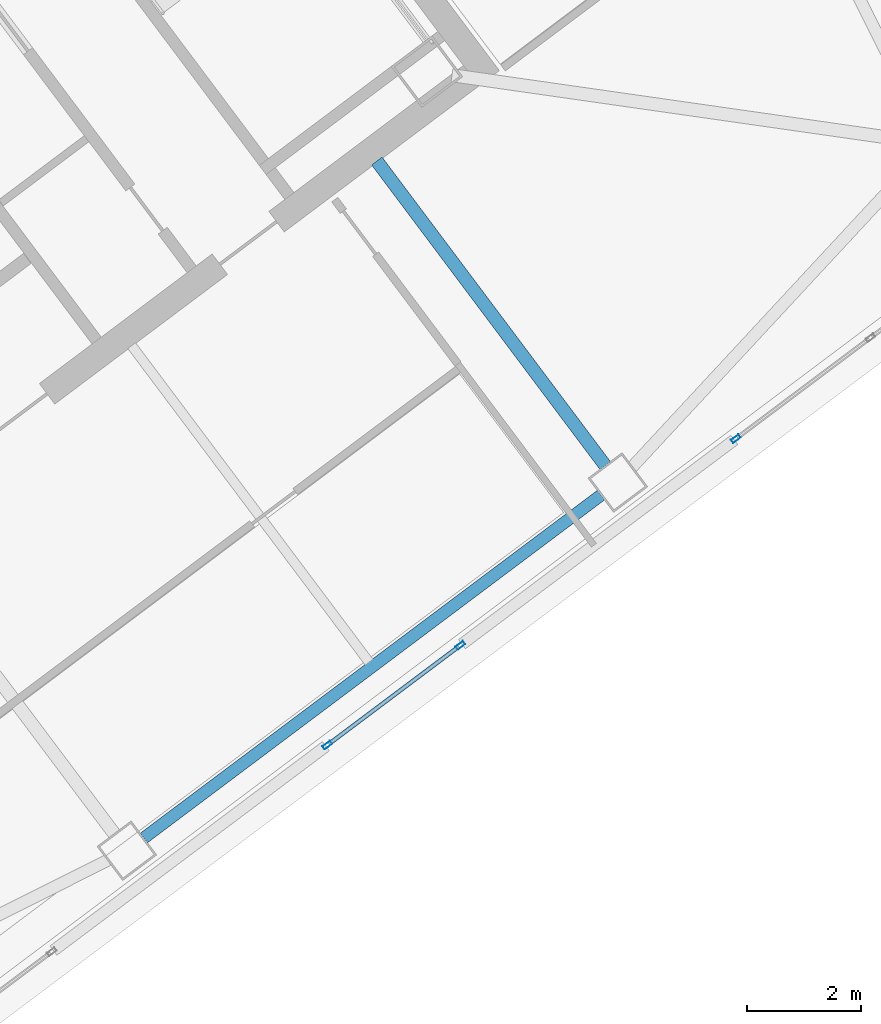
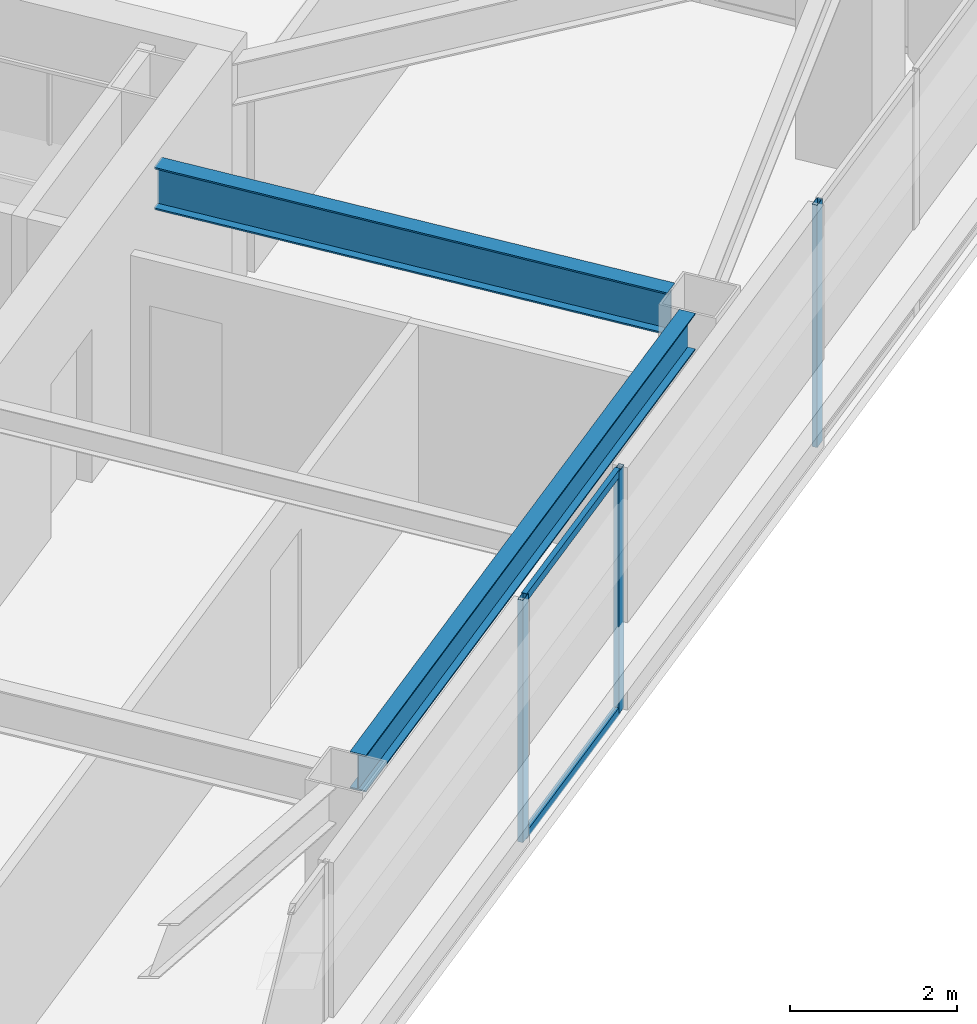
# One storey, part 25 of 44: 5 members, 2 beams, 2 elements without a shape of their own.
"""IFC4 building model written with IfcOpenShell, lengths in metres."""

from ifc_helpers import new_model, si_unit, direction, frame, origin, origin_2d, place, context, subcontext, project, spatial, hollow_rectangle, i_section, extrude, material, material_profile, profile_set, type_object, element, aggregate, save


model = new_model("IFC4")

# Units and contexts
model_context = context("Model", 3, precision=1e-05, world=origin(), true_north=direction((0.0, 1.0)))
body_context = subcontext(model_context, "Body", "Model", "MODEL_VIEW")
ifc_project = project(units=[si_unit("LENGTHUNIT", "METRE"), si_unit("AREAUNIT", "SQUARE_METRE"), si_unit("VOLUMEUNIT", "CUBIC_METRE"), si_unit("PLANEANGLEUNIT", "RADIAN"), si_unit("MASSUNIT", "GRAM", prefix="KILO")], contexts=[model_context])

# Site, building, storey
site_placement = place(None, origin())
site = spatial("IfcSite", under=ifc_project, at=site_placement, CompositionType="ELEMENT")
building_placement = place(site_placement, origin())
building = spatial("IfcBuilding", under=site, at=building_placement, Name="Tashvorn Skyway Center", CompositionType="ELEMENT")
storey_placement = place(building_placement, frame((0.0, 0.0, 211.300048828125)))
storey = spatial("IfcBuildingStorey", under=building, at=storey_placement, Name="L57", CompositionType="ELEMENT", Elevation=211.300048828125)

# Beams
ifc_material_1 = material(Name="Steel ASTM A992 Grade 50", Category="steel")
ifc_material_profile_1 = material_profile(ifc_material_1, i_section(OverallWidth=0.22998046875, OverallDepth=0.616943359375, WebThickness=0.01318359375, FlangeThickness=0.022216796875, at=origin_2d()), Name="W24X94")
ifc_profile_set_1 = profile_set([ifc_material_profile_1], Name="Steel ASTM A992 Grade 50")
beam_type_1 = type_object("IfcBeamType", Name="BM-BEAM-W24X94", PredefinedType="BEAM", material=ifc_profile_set_1)
beam_1_placement = place(storey_placement, frame((127.008056640625, 23.656005859375, 3.0615234375), z_axis=(-0.599994169845, 0.800004372583, 0.0), x_axis=(-0.800004372583, -0.599994169845, 0.0)))
element("IfcBeam", 1, at=beam_1_placement, inside=storey, type_object=beam_type_1, Name="Tower 2 L57 Primary Floor Girder FC-S2", PredefinedType="BEAM", context=body_context, shape_type="SweptSolid", body=[
    extrude(i_section(OverallWidth=0.22998046875, OverallDepth=0.616943359375, WebThickness=0.01318359375, FlangeThickness=0.022216796875, at=origin_2d()), origin(), (0.0, 0.0, 1.0), 6.7001953125),
])
ifc_material_profile_2 = material_profile(ifc_material_1, i_section(OverallWidth=0.2109375, OverallDepth=0.5390625, WebThickness=0.01171875, FlangeThickness=0.018798828125, at=origin_2d()), Name="W21X73")
ifc_profile_set_2 = profile_set([ifc_material_profile_2], Name="Steel ASTM A992 Grade 50")
beam_type_2 = type_object("IfcBeamType", Name="BM-SPANDREL-W21X73", PredefinedType="SPANDREL", material=ifc_profile_set_2)
beam_2_placement = place(storey_placement, frame((118.885986328125, 17.10205078125, 3.100341796875), z_axis=(0.800008736549, 0.599988351091, 0.0), x_axis=(-0.599988351091, 0.800008736549, 0.0)))
element("IfcBeam", 2, at=beam_2_placement, inside=storey, type_object=beam_type_2, Name="Tower 2 L57 Spandrel Beam 02", PredefinedType="SPANDREL", context=body_context, shape_type="SweptSolid", body=[
    extrude(i_section(OverallWidth=0.2109375, OverallDepth=0.5390625, WebThickness=0.01171875, FlangeThickness=0.018798828125, at=origin_2d()), origin(), (0.0, 0.0, 1.0), 10.06005859375),
])

# Curtain wall, member
ifc_material_2 = material(Name="Thermally broken bronze-anodized aluminium 6063-T6", Category="aluminium")
curtain_wall_type = type_object("IfcCurtainWallType", Name="CW-CW-Z5", PredefinedType="NOTDEFINED", material=ifc_material_2)
curtain_wall_1_placement = place(storey_placement, origin())
curtain_wall_1 = element("IfcCurtainWall", 3, at=curtain_wall_1_placement, inside=storey, type_object=curtain_wall_type, Name="Tower 2 L57 South Unitised Curtain Wall Glazing Group 1", PredefinedType="NOTDEFINED")
ifc_material_profile_3 = material_profile(ifc_material_2, hollow_rectangle(XDim=0.070068359375, YDim=0.1650390625, WallThickness=0.00390625, at=origin_2d()), Name="ALU-MULL-70x165")
ifc_profile_set_3 = profile_set([ifc_material_profile_3], Name="Thermally broken bronze-anodized aluminium 6063-T6")
member_type_1 = type_object("IfcMemberType", Name="CWM-CW-Z5", PredefinedType="MULLION", material=ifc_profile_set_3)
member_1_placement = place(storey_placement, frame((129.30712890625, 24.13037109375, 0.0), z_axis=(0.0, 0.0, 1.0), x_axis=(0.600002670604, -0.79999799704, 0.0)))
member_1 = element("IfcMember", 4, at=member_1_placement, type_object=member_type_1, Name="CW-Z5 mullion 3", PredefinedType="MULLION", context=body_context, shape_type="SweptSolid", body=[
    extrude(hollow_rectangle(XDim=0.070068359375, YDim=0.1650390625, WallThickness=0.00390625, at=origin_2d()), origin(), (0.0, 0.0, 1.0), 3.550048828125),
])
aggregate(curtain_wall_1, [member_1])

# Curtain wall, members
curtain_wall_2_placement = place(storey_placement, origin())
curtain_wall_2 = element("IfcCurtainWall", 5, at=curtain_wall_2_placement, inside=storey, type_object=curtain_wall_type, Name="Tower 2 L57 South Unitised Curtain Wall Glazing Group 2", PredefinedType="NOTDEFINED")
member_2_placement = place(storey_placement, frame((124.458251953125, 20.49365234375, 0.0), z_axis=(0.0, 0.0, 1.0), x_axis=(0.600021364741, -0.799983975999, 0.0)))
member_2 = element("IfcMember", 6, at=member_2_placement, type_object=member_type_1, Name="CW-Z5 mullion 1", PredefinedType="MULLION", context=body_context, shape_type="SweptSolid", body=[
    extrude(hollow_rectangle(XDim=0.070068359375, YDim=0.1650390625, WallThickness=0.00390625, at=origin_2d()), origin(), (0.0, 0.0, 1.0), 3.550048828125),
])
member_3_placement = place(storey_placement, frame((122.117919921875, 18.73828125, 0.0), z_axis=(0.0, 0.0, 1.0), x_axis=(0.600021364741, -0.799983975999, 0.0)))
member_3 = element("IfcMember", 7, at=member_3_placement, type_object=member_type_1, Name="CW-Z5 mullion 2", PredefinedType="MULLION", context=body_context, shape_type="SweptSolid", body=[
    extrude(hollow_rectangle(XDim=0.070068359375, YDim=0.1650390625, WallThickness=0.00390625, at=origin_2d()), origin(), (0.0, 0.0, 1.0), 3.550048828125),
])
ifc_material_profile_4 = material_profile(ifc_material_2, hollow_rectangle(XDim=0.070068359375, YDim=0.114990234375, WallThickness=0.00390625, at=origin_2d()), Name="ALU-TRAN-70x115")
ifc_profile_set_4 = profile_set([ifc_material_profile_4], Name="Thermally broken bronze-anodized aluminium 6063-T6")
member_type_2 = type_object("IfcMemberType", Name="CWT-CW-Z5", PredefinedType="USERDEFINED", material=ifc_profile_set_4)
member_4_placement = place(storey_placement, frame((124.43017578125, 20.47265625, 0.034912109375), z_axis=(-0.799989740316, -0.600013679335, 0.0), x_axis=(0.600013679335, -0.799989740316, 0.0)))
member_4 = element("IfcMember", 8, at=member_4_placement, type_object=member_type_2, Name="CW-Z5 transom 1.1", ObjectType="TRANSOM", PredefinedType="USERDEFINED", context=body_context, shape_type="SweptSolid", body=[
    extrude(hollow_rectangle(XDim=0.070068359375, YDim=0.114990234375, WallThickness=0.00390625, at=origin_2d()), origin(), (0.0, 0.0, 1.0), 2.85546875),
])
member_5_placement = place(storey_placement, frame((124.43017578125, 20.47265625, 3.514892578125), z_axis=(-0.799989740316, -0.600013679335, 0.0), x_axis=(0.600013679335, -0.799989740316, 0.0)))
member_5 = element("IfcMember", 9, at=member_5_placement, type_object=member_type_2, Name="CW-Z5 transom 1.2", ObjectType="TRANSOM", PredefinedType="USERDEFINED", context=body_context, shape_type="SweptSolid", body=[
    extrude(hollow_rectangle(XDim=0.070068359375, YDim=0.114990234375, WallThickness=0.00390625, at=origin_2d()), origin(), (0.0, 0.0, 1.0), 2.85546875),
])
aggregate(curtain_wall_2, [member_2, member_3, member_4, member_5])

save(model, "model.ifc")
